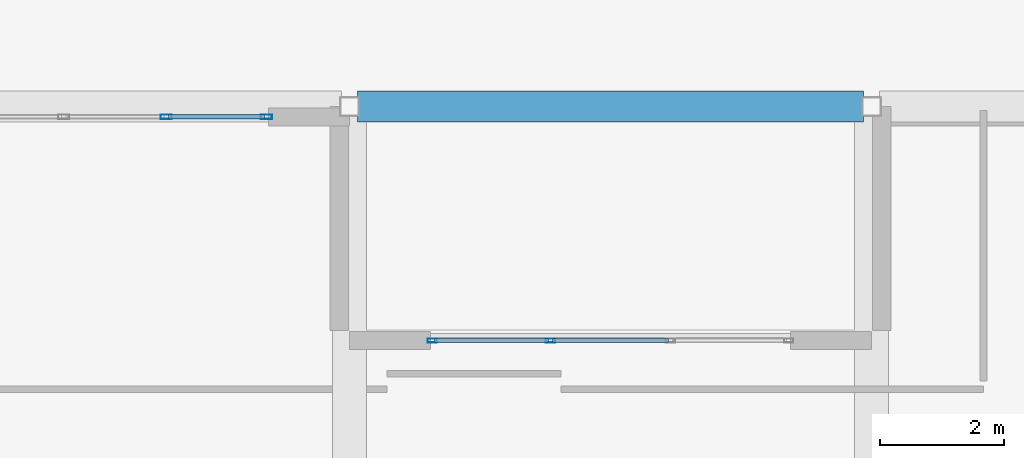
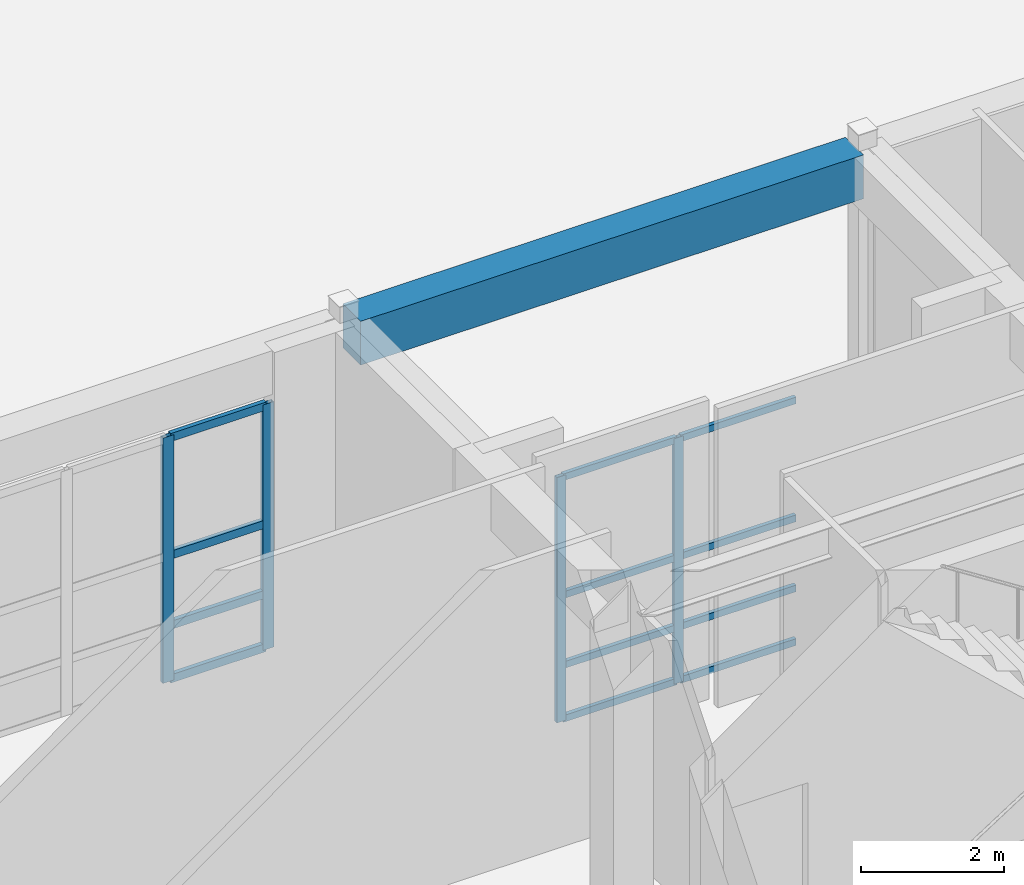
# One storey, part 35 of 148: 16 members, 1 beam, 2 elements without a shape of their own.
"""IFC4 building model written with IfcOpenShell, lengths in metres."""

import ifcopenshell
import ifcopenshell.guid

model = None  # the IFC model being written
_history = None  # IfcOwnerHistory: only IFC2X3 demands one
_inside = {}  # id of a spatial element -> (the spatial element, [elements in it])
_under = {}  # id of a project, library or spatial element -> (it, [spatial elements below it])
_declared = {}  # id of a project -> (the project, [libraries it declares])
_typed = {}  # id of a type object -> (the type object, [elements of that type])
_made_of = {}  # id of a material, layer set ... -> (it, [elements and type objects made of it])


def new_model(schema):
    """Start an empty IFC model of exactly this schema.

    Asked for "IFC4X3", IfcOpenShell would pick the latest addendum, in which some entities
    have other attributes; the version numbers below select the first issue.
    IFC2X3 requires an IfcOwnerHistory on every rooted entity: one is made here for all.
    """
    global model, _history
    if schema == "IFC4X3":
        model = ifcopenshell.file(schema_version=(4, 3, 0, 0))
    else:
        model = ifcopenshell.file(schema=schema)
    _inside.clear()
    _under.clear()
    _declared.clear()
    _typed.clear()
    _made_of.clear()
    _history = None
    if model.schema == "IFC2X3":
        org = make("IfcOrganization", Name="unknown")
        user = make(
            "IfcPersonAndOrganization",
            ThePerson=make("IfcPerson", FamilyName="unknown"),
            TheOrganization=org,
        )
        app = make(
            "IfcApplication",
            ApplicationDeveloper=org,
            Version="unknown",
            ApplicationFullName="unknown",
            ApplicationIdentifier="unknown",
        )
        _history = make(
            "IfcOwnerHistory",
            OwningUser=user,
            OwningApplication=app,
            ChangeAction="ADDED",
            CreationDate=0,
        )
    return model


def make(cls, **values):
    """One entity of the class cls with the attributes given. An attribute that is None is left unset."""
    return model.create_entity(
        cls, **{name: value for name, value in values.items() if value is not None}
    )


def rooted(cls, **values):
    """An entity with a GlobalId (a new one), such as an element, a storey or a relation."""
    return make(cls, GlobalId=ifcopenshell.guid.new(), OwnerHistory=_history, **values)


def si_unit(unit_type, name, prefix=None):
    """IfcSIUnit, for example si_unit("LENGTHUNIT", "METRE", prefix="MILLI")."""
    return make("IfcSIUnit", UnitType=unit_type, Prefix=prefix, Name=name)


def assignment(units):
    """IfcUnitAssignment: the units of a project."""
    return None if units is None else make("IfcUnitAssignment", Units=units)


def point(xyz):
    """IfcCartesianPoint."""
    return None if xyz is None else make("IfcCartesianPoint", Coordinates=xyz)


def direction(xyz):
    """IfcDirection."""
    return None if xyz is None else make("IfcDirection", DirectionRatios=xyz)


def frame(location, z_axis=None, x_axis=None):
    """IfcAxis2Placement3D, a coordinate frame: its origin and axes. An axis left out is left unset."""
    return make(
        "IfcAxis2Placement3D",
        Location=point(location),
        Axis=direction(z_axis),
        RefDirection=direction(x_axis),
    )


def frame_2d(location, x_axis=None):
    """IfcAxis2Placement2D, a coordinate frame in the plane: its origin and x axis."""
    return make(
        "IfcAxis2Placement2D", Location=point(location), RefDirection=direction(x_axis)
    )


def origin():
    """The frame at (0, 0, 0) with its axes left unset."""
    return frame((0.0, 0.0, 0.0))


def origin_2d():
    """The frame at (0, 0) in the plane with its x axis left unset."""
    return frame_2d((0.0, 0.0))


def place(relative_to, where):
    """IfcLocalPlacement: puts the frame where relative to a parent placement (None: the world)."""
    return make(
        "IfcLocalPlacement", PlacementRelTo=relative_to, RelativePlacement=where
    )


def context(
    kind, dimensions, precision=None, world=None, true_north=None, identifier=None
):
    """IfcGeometricRepresentationContext, for example the 3D "Model" context."""
    return make(
        "IfcGeometricRepresentationContext",
        ContextIdentifier=identifier,
        ContextType=kind,
        CoordinateSpaceDimension=dimensions,
        Precision=precision,
        WorldCoordinateSystem=world,
        TrueNorth=true_north,
    )


def subcontext(parent, identifier, kind, view, scale=None):
    """IfcGeometricRepresentationSubContext, for example "Body" below "Model"."""
    return make(
        "IfcGeometricRepresentationSubContext",
        ContextIdentifier=identifier,
        ContextType=kind,
        ParentContext=parent,
        TargetScale=scale,
        TargetView=view,
    )


def project(units=None, contexts=None):
    """IfcProject with its units and contexts."""
    return rooted(
        "IfcProject",
        Name="project",
        RepresentationContexts=contexts,
        UnitsInContext=assignment(units),
    )


def spatial(cls, under=None, at=None, **own):
    """A site, building, storey or space (cls), placed at a placement, below another one or the project."""
    s = rooted(cls, ObjectPlacement=at, **own)
    if under is not None:
        _under.setdefault(under.id(), (under, []))[1].append(s)
    return s


def profile(cls, at=None, kind="AREA", **sizes):
    """A parametric profile (cls). Its sizes go by their IFC names, for example OverallWidth=200.0."""
    return make(cls, ProfileType=kind, Position=at, **sizes)


def rectangle(**sizes):
    """IfcRectangleProfileDef."""
    return profile("IfcRectangleProfileDef", **sizes)


def hollow_rectangle(**sizes):
    """IfcRectangleHollowProfileDef."""
    return profile("IfcRectangleHollowProfileDef", **sizes)


def extrude(swept, where, along, depth):
    """IfcExtrudedAreaSolid: the profile swept, set in the frame where, extruded along a direction by depth."""
    return make(
        "IfcExtrudedAreaSolid",
        SweptArea=swept,
        Position=where,
        ExtrudedDirection=direction(along),
        Depth=depth,
    )


def shape(context_of_items, identifier, shape_type, items):
    """IfcShapeRepresentation: the items that make up one representation, for example the "Body"."""
    return make(
        "IfcShapeRepresentation",
        ContextOfItems=context_of_items,
        RepresentationIdentifier=identifier,
        RepresentationType=shape_type,
        Items=items,
    )


def material(Name=None, Category=None):
    """IfcMaterial."""
    return make("IfcMaterial", Name=Name, Category=Category)


def layer(
    of_material, thickness, ventilated=None, Name=None, Category=None, Priority=None
):
    """IfcMaterialLayer: one layer of a wall or slab, of a material (None: an air gap)."""
    return make(
        "IfcMaterialLayer",
        Material=of_material,
        LayerThickness=thickness,
        IsVentilated=ventilated,
        Name=Name,
        Category=Category,
        Priority=Priority,
    )


def layer_set(layers, Name=None):
    """IfcMaterialLayerSet."""
    return make("IfcMaterialLayerSet", MaterialLayers=layers, LayerSetName=Name)


def material_profile(
    of_material, cross_section, Name=None, Category=None, Priority=None
):
    """IfcMaterialProfile: a cross section and its material."""
    return make(
        "IfcMaterialProfile",
        Name=Name,
        Material=of_material,
        Profile=cross_section,
        Priority=Priority,
        Category=Category,
    )


def profile_set(profiles, Name=None, composite=None):
    """IfcMaterialProfileSet."""
    return make(
        "IfcMaterialProfileSet",
        Name=Name,
        MaterialProfiles=profiles,
        CompositeProfile=composite,
    )


def made_of(thing, what):
    """Note that an element or type object is made of a material, layer set ...; save() writes the relation."""
    if what is not None:
        _made_of.setdefault(what.id(), (what, []))[1].append(thing)
    return thing


def type_object(cls, material=None, **own):
    """A type object (cls), such as IfcWallType, which elements share."""
    return made_of(rooted(cls, **own), material)


def element(
    cls,
    number,
    at=None,
    inside=None,
    cuts=None,
    type_object=None,
    material=None,
    context=None,
    identifier="Body",
    shape_type=None,
    held_by="IfcProductDefinitionShape",
    body=None,
    shapes=None,
    **own,
):
    """One element of the class cls, such as IfcWall. Its Tag is "e" and its number.

    at: its placement. inside: the storey or other place that contains it. cuts: it is an
    opening in that element (IfcRelVoidsElement). A single representation is given by context,
    identifier, shape_type and body (its items); several are given by shapes. held_by: the class
    of the entity that holds the representations. save() writes the other relations.
    """
    e = rooted(cls, Tag="e%d" % number, ObjectPlacement=at, **own)
    if body is not None:
        shapes = [shape(context, identifier, shape_type, body)]
    if shapes is not None:
        e.Representation = make(held_by, Representations=shapes)
    if inside is not None:
        _inside.setdefault(inside.id(), (inside, []))[1].append(e)
    if cuts is not None:
        rooted(
            "IfcRelVoidsElement", RelatingBuildingElement=cuts, RelatedOpeningElement=e
        )
    if type_object is not None:
        _typed.setdefault(type_object.id(), (type_object, []))[1].append(e)
    return made_of(e, material)


def aggregate(whole, parts):
    """IfcRelAggregates: a whole, such as a stair, and the parts it consists of."""
    return rooted("IfcRelAggregates", RelatingObject=whole, RelatedObjects=parts)


def save(model, path):
    """Write the relations noted so far, then the file.

    IfcRelAggregates (storeys below a building ...), IfcRelContainedInSpatialStructure (elements
    in a storey), IfcRelDefinesByType, IfcRelAssociatesMaterial and IfcRelDeclares: one each for
    every whole, place, type object, material and project.
    """
    for whole, parts in _under.values():
        aggregate(whole, parts)
    for where, things in _inside.values():
        rooted(
            "IfcRelContainedInSpatialStructure",
            RelatedElements=things,
            RelatingStructure=where,
        )
    for kind, things in _typed.values():
        rooted("IfcRelDefinesByType", RelatedObjects=things, RelatingType=kind)
    for what, things in _made_of.values():
        rooted("IfcRelAssociatesMaterial", RelatedObjects=things, RelatingMaterial=what)
    for by, libraries in _declared.values():
        rooted("IfcRelDeclares", RelatingContext=by, RelatedDefinitions=libraries)
    model.write(path)


model = new_model("IFC4")

# Units and contexts
model_context = context("Model", 3, precision=1e-05, world=origin(), true_north=direction((0.0, 1.0)))
body_context = subcontext(model_context, "Body", "Model", "MODEL_VIEW")
ifc_project = project(units=[si_unit("LENGTHUNIT", "METRE"), si_unit("AREAUNIT", "SQUARE_METRE"), si_unit("VOLUMEUNIT", "CUBIC_METRE"), si_unit("PLANEANGLEUNIT", "RADIAN"), si_unit("MASSUNIT", "GRAM", prefix="KILO")], contexts=[model_context])

# Site, building, storey
site_placement = place(None, origin())
site = spatial("IfcSite", under=ifc_project, at=site_placement, CompositionType="ELEMENT")
building_placement = place(site_placement, origin())
building = spatial("IfcBuilding", under=site, at=building_placement, Name="Quendrovan Civic Courthouse", CompositionType="ELEMENT")
storey_placement = place(building_placement, origin())
storey = spatial("IfcBuildingStorey", under=building, at=storey_placement, Name="L01", CompositionType="ELEMENT", Elevation=0.0)

# Beam
ifc_material_1 = material(Name="Concrete C40/50", Category="concrete")
ifc_material_profile_1 = material_profile(ifc_material_1, rectangle(XDim=0.5, YDim=0.75, at=origin_2d()), Name="RC-BM-500x750")
ifc_profile_set_1 = profile_set([ifc_material_profile_1], Name="Concrete C40/50")
beam_type = type_object("IfcBeamType", Name="BM-RC750", PredefinedType="SPANDREL", material=ifc_profile_set_1)
beam_placement = place(storey_placement, frame((75.72998046875, 15.60009765625, 4.7451171875), z_axis=(1.0, 0.0, 0.0), x_axis=(0.0, 1.0, 0.0)))
element("IfcBeam", 1, at=beam_placement, inside=storey, type_object=beam_type, Name="L01 Girder X0274", PredefinedType="SPANDREL", context=body_context, shape_type="SweptSolid", body=[
    extrude(rectangle(XDim=0.5, YDim=0.75, at=origin_2d()), origin(), (0.0, 0.0, 1.0), 8.14013671875),
])

# Curtain wall, members
ifc_material_2 = material(Name="Bronze anodised aluminium and low-E glass", Category="aluminium")
ifc_layer_1 = layer(ifc_material_2, 0.179931640625, Name="Bronze anodised aluminium and low-E glass")
ifc_layer_set_1 = layer_set([ifc_layer_1], Name="Bronze anodised aluminium and low-E glass")
curtain_wall_type_1 = type_object("IfcCurtainWallType", Name="CW-U66x42", PredefinedType="USERDEFINED", material=ifc_layer_set_1)
curtain_wall_1_placement = place(storey_placement, origin())
curtain_wall_1 = element("IfcCurtainWall", 2, at=curtain_wall_1_placement, inside=storey, type_object=curtain_wall_type_1, Name="L01 Unitised Hurricane Curtain Wall CW-010", ObjectType="UNITISED CURTAIN WALL", PredefinedType="USERDEFINED")
ifc_material_3 = material(Name="Bronze anodised aluminium", Category="aluminium")
ifc_material_profile_2 = material_profile(ifc_material_3, hollow_rectangle(XDim=0.070068359375, YDim=0.179931640625, WallThickness=0.00390625, at=origin_2d()), Name="CW-MULL-70x180")
ifc_profile_set_2 = profile_set([ifc_material_profile_2], Name="Bronze anodised aluminium")
member_type_1 = type_object("IfcMemberType", Name="CW-MULL-A", PredefinedType="MULLION", material=ifc_profile_set_2)
member_1_placement = place(storey_placement, frame((72.64990234375, 15.43505859375, 0.0), z_axis=(0.0, 0.0, 1.0), x_axis=(0.0, 1.0, 0.0)))
member_1 = element("IfcMember", 3, at=member_1_placement, type_object=member_type_1, Name="CW-010 mullion 4", PredefinedType="MULLION", context=body_context, shape_type="SweptSolid", body=[
    extrude(hollow_rectangle(XDim=0.070068359375, YDim=0.179931640625, WallThickness=0.00390625, at=origin_2d()), origin(), (0.0, 0.0, 1.0), 4.199951171875),
])
member_2_placement = place(storey_placement, frame((74.264892578125, 15.43505859375, 0.0), z_axis=(0.0, 0.0, 1.0), x_axis=(0.0, 1.0, 0.0)))
member_2 = element("IfcMember", 4, at=member_2_placement, type_object=member_type_1, Name="CW-010 mullion 5", PredefinedType="MULLION", context=body_context, shape_type="SweptSolid", body=[
    extrude(hollow_rectangle(XDim=0.070068359375, YDim=0.179931640625, WallThickness=0.00390625, at=origin_2d()), origin(), (0.0, 0.0, 1.0), 4.199951171875),
])

ifc_layer_2 = layer(ifc_material_2, 0.179931640625, Name="Bronze anodised aluminium and low-E glass")
ifc_layer_set_2 = layer_set([ifc_layer_2], Name="Bronze anodised aluminium and low-E glass")
curtain_wall_type_2 = type_object("IfcCurtainWallType", Name="CW-U58x42", PredefinedType="USERDEFINED", material=ifc_layer_set_2)
curtain_wall_2_placement = place(storey_placement, origin())
curtain_wall_2 = element("IfcCurtainWall", 5, at=curtain_wall_2_placement, inside=storey, type_object=curtain_wall_type_2, Name="L01 Unitised Hurricane Curtain Wall CW-011", ObjectType="UNITISED CURTAIN WALL", PredefinedType="USERDEFINED")
ifc_material_profile_3 = material_profile(ifc_material_3, hollow_rectangle(XDim=0.06494140625, YDim=0.14990234375, WallThickness=0.00390625, at=origin_2d()), Name="CW-MULL-65x150")
ifc_profile_set_3 = profile_set([ifc_material_profile_3], Name="Bronze anodised aluminium")
member_type_2 = type_object("IfcMemberType", Name="CW-MULL-B", PredefinedType="MULLION", material=ifc_profile_set_3)
member_3_placement = place(storey_placement, frame((76.9326171875, 11.8349609375, 0.0), z_axis=(0.0, 0.0, 1.0), x_axis=(0.0, 1.0, 0.0)))
member_3 = element("IfcMember", 6, at=member_3_placement, type_object=member_type_2, Name="CW-011 mullion 1", PredefinedType="MULLION", context=body_context, shape_type="SweptSolid", body=[
    extrude(hollow_rectangle(XDim=0.06494140625, YDim=0.14990234375, WallThickness=0.00390625, at=origin_2d()), origin(), (0.0, 0.0, 1.0), 4.199951171875),
])
member_4_placement = place(storey_placement, frame((78.833251953125, 11.8349609375, 0.0), z_axis=(0.0, 0.0, 1.0), x_axis=(0.0, 1.0, 0.0)))
member_4 = element("IfcMember", 7, at=member_4_placement, type_object=member_type_2, Name="CW-011 mullion 2", PredefinedType="MULLION", context=body_context, shape_type="SweptSolid", body=[
    extrude(hollow_rectangle(XDim=0.06494140625, YDim=0.14990234375, WallThickness=0.00390625, at=origin_2d()), origin(), (0.0, 0.0, 1.0), 4.199951171875),
])

# Member
ifc_material_profile_4 = material_profile(ifc_material_3, hollow_rectangle(XDim=0.070068359375, YDim=0.139892578125, WallThickness=0.00390625, at=origin_2d()), Name="CW-TRAN-70x140")
ifc_profile_set_4 = profile_set([ifc_material_profile_4], Name="Bronze anodised aluminium")
member_type_3 = type_object("IfcMemberType", Name="CW-TRAN-A", PredefinedType="USERDEFINED", material=ifc_profile_set_4)
member_5_placement = place(storey_placement, frame((72.68505859375, 15.43505859375, 0.034912109375), z_axis=(1.0, 0.0, 0.0), x_axis=(0.0, 1.0, 0.0)))
member_5 = element("IfcMember", 8, at=member_5_placement, type_object=member_type_3, Name="CW-010 transom 4.1", ObjectType="TRANSOM", PredefinedType="USERDEFINED", context=body_context, shape_type="SweptSolid", body=[
    extrude(hollow_rectangle(XDim=0.070068359375, YDim=0.139892578125, WallThickness=0.00390625, at=origin_2d()), origin(), (0.0, 0.0, 1.0), 1.544921875),
])

member_6_placement = place(storey_placement, frame((72.68505859375, 15.43505859375, 0.949951171875), z_axis=(1.0, 0.0, 0.0), x_axis=(0.0, 1.0, 0.0)))
member_6 = element("IfcMember", 9, at=member_6_placement, type_object=member_type_3, Name="CW-010 transom 4.2", ObjectType="TRANSOM", PredefinedType="USERDEFINED", context=body_context, shape_type="SweptSolid", body=[
    extrude(hollow_rectangle(XDim=0.070068359375, YDim=0.139892578125, WallThickness=0.00390625, at=origin_2d()), origin(), (0.0, 0.0, 1.0), 1.544921875),
])

member_7_placement = place(storey_placement, frame((72.68505859375, 15.43505859375, 2.14990234375), z_axis=(1.0, 0.0, 0.0), x_axis=(0.0, 1.0, 0.0)))
member_7 = element("IfcMember", 10, at=member_7_placement, type_object=member_type_3, Name="CW-010 transom 4.3", ObjectType="TRANSOM", PredefinedType="USERDEFINED", context=body_context, shape_type="SweptSolid", body=[
    extrude(hollow_rectangle(XDim=0.070068359375, YDim=0.139892578125, WallThickness=0.00390625, at=origin_2d()), origin(), (0.0, 0.0, 1.0), 1.544921875),
])

member_8_placement = place(storey_placement, frame((72.68505859375, 15.43505859375, 4.1650390625), z_axis=(1.0, 0.0, 0.0), x_axis=(0.0, 1.0, 0.0)))
member_8 = element("IfcMember", 11, at=member_8_placement, type_object=member_type_3, Name="CW-010 transom 4.4", ObjectType="TRANSOM", PredefinedType="USERDEFINED", context=body_context, shape_type="SweptSolid", body=[
    extrude(hollow_rectangle(XDim=0.070068359375, YDim=0.139892578125, WallThickness=0.00390625, at=origin_2d()), origin(), (0.0, 0.0, 1.0), 1.544921875),
])

aggregate(curtain_wall_1, [member_1, member_2, member_5, member_6, member_7, member_8])

ifc_material_profile_5 = material_profile(ifc_material_3, hollow_rectangle(XDim=0.06494140625, YDim=0.114990234375, WallThickness=0.00390625, at=origin_2d()), Name="CW-TRAN-65x115")
ifc_profile_set_5 = profile_set([ifc_material_profile_5], Name="Bronze anodised aluminium")
member_type_4 = type_object("IfcMemberType", Name="CW-TRAN-B", PredefinedType="USERDEFINED", material=ifc_profile_set_5)
member_9_placement = place(storey_placement, frame((76.965087890625, 11.8349609375, 0.032470703125), z_axis=(1.0, 0.0, 0.0), x_axis=(0.0, 1.0, 0.0)))
member_9 = element("IfcMember", 12, at=member_9_placement, type_object=member_type_4, Name="CW-011 transom 1.1", ObjectType="TRANSOM", PredefinedType="USERDEFINED", context=body_context, shape_type="SweptSolid", body=[
    extrude(hollow_rectangle(XDim=0.06494140625, YDim=0.114990234375, WallThickness=0.00390625, at=origin_2d()), origin(), (0.0, 0.0, 1.0), 1.835693359375),
])

member_10_placement = place(storey_placement, frame((76.965087890625, 11.8349609375, 0.949951171875), z_axis=(1.0, 0.0, 0.0), x_axis=(0.0, 1.0, 0.0)))
member_10 = element("IfcMember", 13, at=member_10_placement, type_object=member_type_4, Name="CW-011 transom 1.2", ObjectType="TRANSOM", PredefinedType="USERDEFINED", context=body_context, shape_type="SweptSolid", body=[
    extrude(hollow_rectangle(XDim=0.06494140625, YDim=0.114990234375, WallThickness=0.00390625, at=origin_2d()), origin(), (0.0, 0.0, 1.0), 1.835693359375),
])

member_11_placement = place(storey_placement, frame((76.965087890625, 11.8349609375, 2.14990234375), z_axis=(1.0, 0.0, 0.0), x_axis=(0.0, 1.0, 0.0)))
member_11 = element("IfcMember", 14, at=member_11_placement, type_object=member_type_4, Name="CW-011 transom 1.3", ObjectType="TRANSOM", PredefinedType="USERDEFINED", context=body_context, shape_type="SweptSolid", body=[
    extrude(hollow_rectangle(XDim=0.06494140625, YDim=0.114990234375, WallThickness=0.00390625, at=origin_2d()), origin(), (0.0, 0.0, 1.0), 1.835693359375),
])

member_12_placement = place(storey_placement, frame((76.965087890625, 11.8349609375, 4.16748046875), z_axis=(1.0, 0.0, 0.0), x_axis=(0.0, 1.0, 0.0)))
member_12 = element("IfcMember", 15, at=member_12_placement, type_object=member_type_4, Name="CW-011 transom 1.4", ObjectType="TRANSOM", PredefinedType="USERDEFINED", context=body_context, shape_type="SweptSolid", body=[
    extrude(hollow_rectangle(XDim=0.06494140625, YDim=0.114990234375, WallThickness=0.00390625, at=origin_2d()), origin(), (0.0, 0.0, 1.0), 1.835693359375),
])

member_13_placement = place(storey_placement, frame((78.86572265625, 11.8349609375, 0.032470703125), z_axis=(1.0, 0.0, 0.0), x_axis=(0.0, 1.0, 0.0)))
member_13 = element("IfcMember", 16, at=member_13_placement, type_object=member_type_4, Name="CW-011 transom 2.1", ObjectType="TRANSOM", PredefinedType="USERDEFINED", context=body_context, shape_type="SweptSolid", body=[
    extrude(hollow_rectangle(XDim=0.06494140625, YDim=0.114990234375, WallThickness=0.00390625, at=origin_2d()), origin(), (0.0, 0.0, 1.0), 1.868408203125),
])

member_14_placement = place(storey_placement, frame((78.86572265625, 11.8349609375, 0.949951171875), z_axis=(1.0, 0.0, 0.0), x_axis=(0.0, 1.0, 0.0)))
member_14 = element("IfcMember", 17, at=member_14_placement, type_object=member_type_4, Name="CW-011 transom 2.2", ObjectType="TRANSOM", PredefinedType="USERDEFINED", context=body_context, shape_type="SweptSolid", body=[
    extrude(hollow_rectangle(XDim=0.06494140625, YDim=0.114990234375, WallThickness=0.00390625, at=origin_2d()), origin(), (0.0, 0.0, 1.0), 1.868408203125),
])

member_15_placement = place(storey_placement, frame((78.86572265625, 11.8349609375, 2.14990234375), z_axis=(1.0, 0.0, 0.0), x_axis=(0.0, 1.0, 0.0)))
member_15 = element("IfcMember", 18, at=member_15_placement, type_object=member_type_4, Name="CW-011 transom 2.3", ObjectType="TRANSOM", PredefinedType="USERDEFINED", context=body_context, shape_type="SweptSolid", body=[
    extrude(hollow_rectangle(XDim=0.06494140625, YDim=0.114990234375, WallThickness=0.00390625, at=origin_2d()), origin(), (0.0, 0.0, 1.0), 1.868408203125),
])

member_16_placement = place(storey_placement, frame((78.86572265625, 11.8349609375, 4.16748046875), z_axis=(1.0, 0.0, 0.0), x_axis=(0.0, 1.0, 0.0)))
member_16 = element("IfcMember", 19, at=member_16_placement, type_object=member_type_4, Name="CW-011 transom 2.4", ObjectType="TRANSOM", PredefinedType="USERDEFINED", context=body_context, shape_type="SweptSolid", body=[
    extrude(hollow_rectangle(XDim=0.06494140625, YDim=0.114990234375, WallThickness=0.00390625, at=origin_2d()), origin(), (0.0, 0.0, 1.0), 1.868408203125),
])

aggregate(curtain_wall_2, [member_3, member_4, member_9, member_10, member_11, member_12, member_13, member_14, member_15, member_16])

save(model, "model.ifc")
